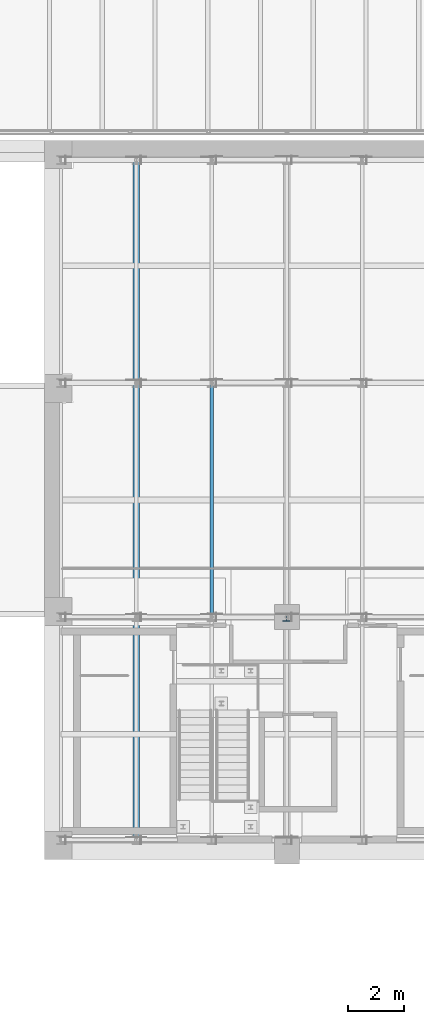
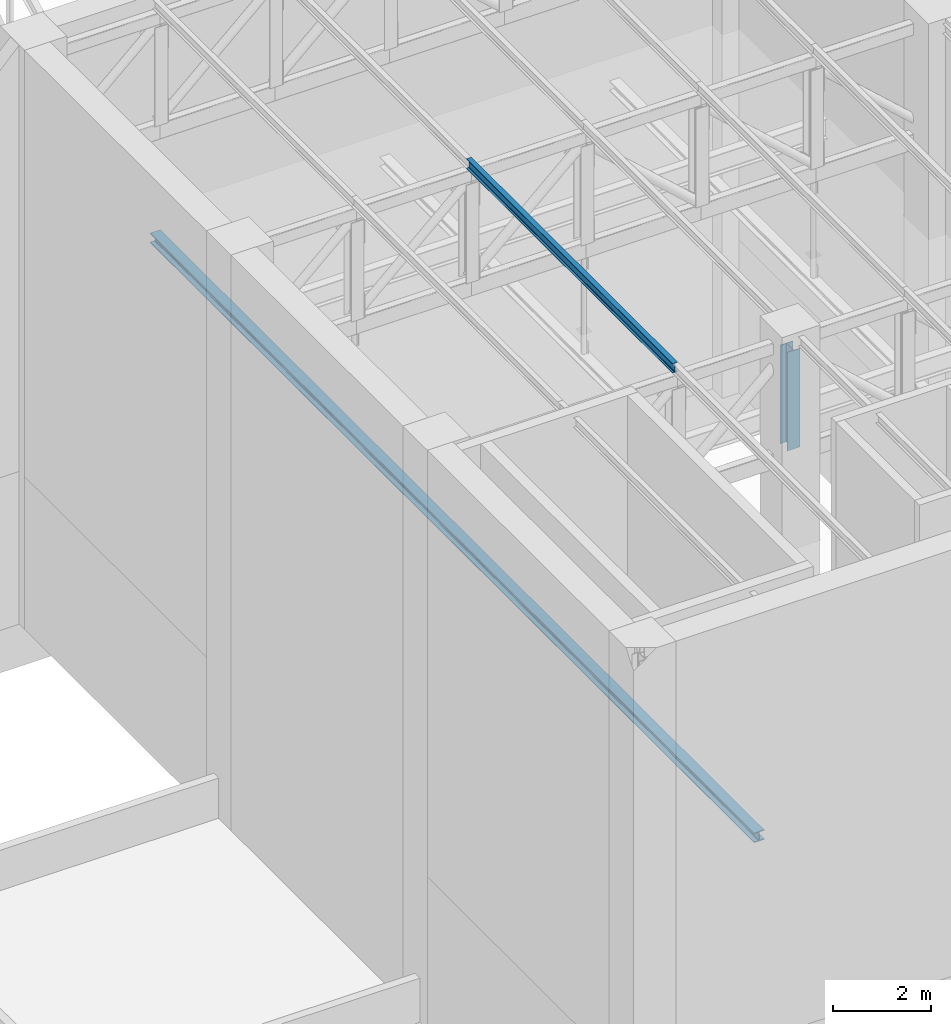
# One storey, part 4 of 68: 2 members, 1 beam.
"""IFC4 building model written with IfcOpenShell, lengths in metres."""

from ifc_helpers import new_model, si_unit, direction, frame, origin, origin_2d, place, context, subcontext, project, spatial, i_section, extrude, material, material_profile, profile_set, type_object, element, save


model = new_model("IFC4")

# Units and contexts
model_context = context("Model", 3, precision=1e-05, world=origin(), true_north=direction((0.0, 1.0)))
body_context = subcontext(model_context, "Body", "Model", "MODEL_VIEW")
ifc_project = project(units=[si_unit("LENGTHUNIT", "METRE"), si_unit("AREAUNIT", "SQUARE_METRE"), si_unit("VOLUMEUNIT", "CUBIC_METRE"), si_unit("PLANEANGLEUNIT", "RADIAN"), si_unit("MASSUNIT", "GRAM", prefix="KILO")], contexts=[model_context])

# Site, building, storey
site_placement = place(None, origin())
site = spatial("IfcSite", under=ifc_project, at=site_placement, CompositionType="ELEMENT")
building_placement = place(site_placement, origin())
building = spatial("IfcBuilding", under=site, at=building_placement, Name="Larchfold Concert Hall", CompositionType="ELEMENT")
storey_placement = place(building_placement, frame((0.0, 0.0, 28.800048828125)))
storey = spatial("IfcBuildingStorey", under=building, at=storey_placement, Name="L06", CompositionType="ELEMENT", Elevation=28.800048828125)

# Member
ifc_material_1 = material(Name="Steel S355", Category="steel")
ifc_material_profile_1 = material_profile(ifc_material_1, i_section(OverallWidth=0.1201171875, OverallDepth=0.239990234375, WebThickness=0.006103515625, FlangeThickness=0.009765625, FilletRadius=0.014892578125, at=origin_2d()))
ifc_profile_set_1 = profile_set([ifc_material_profile_1], Name="Steel S355")
member_type_1 = type_object("IfcMemberType", Name="Purlin IPE 240", PredefinedType="PURLIN", material=ifc_profile_set_1)
member_1_placement = place(storey_placement, frame((39.89990234375, 42.60009765625, 14.169921875), z_axis=(0.0, 1.0, 0.0), x_axis=(-1.0, 0.0, 0.0)))
element("IfcMember", 1, at=member_1_placement, inside=storey, type_object=member_type_1, Name="Member SP10", PredefinedType="PURLIN", context=body_context, shape_type="SweptSolid", body=[
    extrude(i_section(OverallWidth=0.1201171875, OverallDepth=0.239990234375, WebThickness=0.006103515625, FlangeThickness=0.009765625, FilletRadius=0.014892578125, at=origin_2d()), origin(), (0.0, 0.0, 1.0), 8.39990234375),
])

# Beam
ifc_material_2 = material(Name="Steel S355", Category="steel")
ifc_material_profile_2 = material_profile(ifc_material_2, i_section(OverallWidth=0.239990234375, OverallDepth=0.239990234375, WebThickness=0.010009765625, FlangeThickness=0.01708984375, FilletRadius=0.02099609375, at=origin_2d()))
ifc_profile_set_2 = profile_set([ifc_material_profile_2], Name="Steel S355")
beam_type = type_object("IfcBeamType", Name="Steel beam HEB 240", PredefinedType="BEAM", material=ifc_profile_set_2)
beam_placement = place(storey_placement, frame((37.199951171875, 34.5, 8.3798828125), z_axis=(0.0, 1.0, 0.0), x_axis=(-1.0, 0.0, 0.0)))
element("IfcBeam", 2, at=beam_placement, inside=storey, type_object=beam_type, Name="Beam GR72", PredefinedType="BEAM", context=body_context, shape_type="SweptSolid", body=[
    extrude(i_section(OverallWidth=0.239990234375, OverallDepth=0.239990234375, WebThickness=0.010009765625, FlangeThickness=0.01708984375, FilletRadius=0.02099609375, at=origin_2d()), origin(), (0.0, 0.0, 1.0), 24.60009765625),
])

# Member
ifc_material_3 = material(Name="Steel S355", Category="steel")
ifc_material_profile_3 = material_profile(ifc_material_3, i_section(OverallWidth=0.300048828125, OverallDepth=0.31005859375, WebThickness=0.009033203125, FlangeThickness=0.015380859375, FilletRadius=0.027099609375, at=origin_2d()))
ifc_profile_set_3 = profile_set([ifc_material_profile_3], Name="Steel S355")
member_type_2 = type_object("IfcMemberType", Name="Truss post HEA 320", PredefinedType="POST", material=ifc_profile_set_3)
member_2_placement = place(storey_placement, frame((42.60009765625, 42.60009765625, 11.300048828125), z_axis=(0.0, 0.0, 1.0), x_axis=(1.0, 0.0, 0.0)))
element("IfcMember", 3, at=member_2_placement, inside=storey, type_object=member_type_2, Name="Member SR2V04", PredefinedType="POST", context=body_context, shape_type="SweptSolid", body=[
    extrude(i_section(OverallWidth=0.300048828125, OverallDepth=0.31005859375, WebThickness=0.009033203125, FlangeThickness=0.015380859375, FilletRadius=0.027099609375, at=origin_2d()), origin(), (0.0, 0.0, 1.0), 2.449951171875),
])

save(model, "model.ifc")
